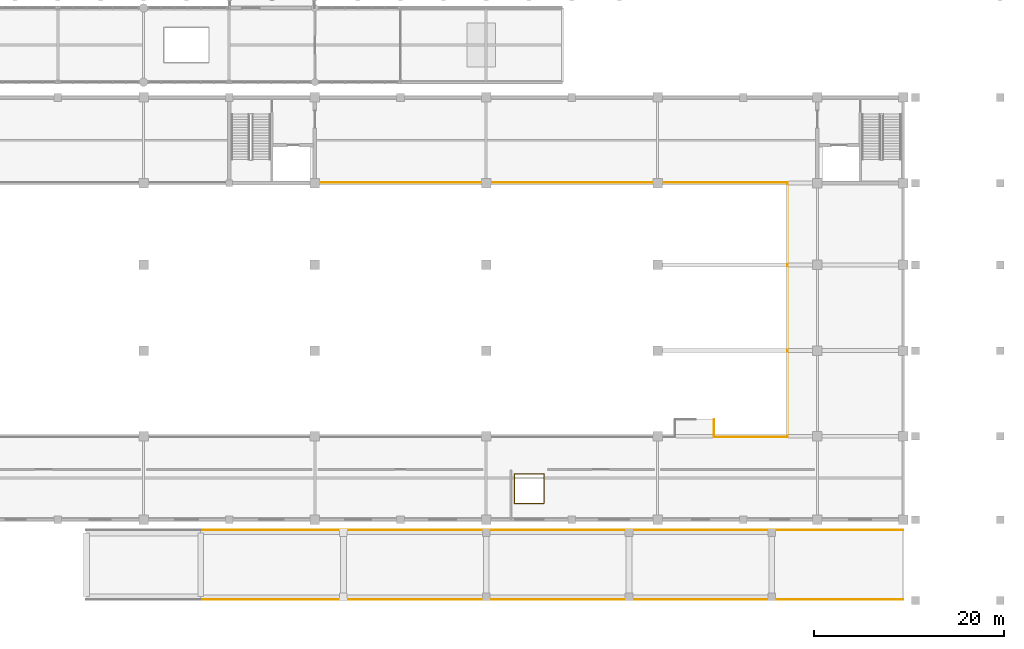
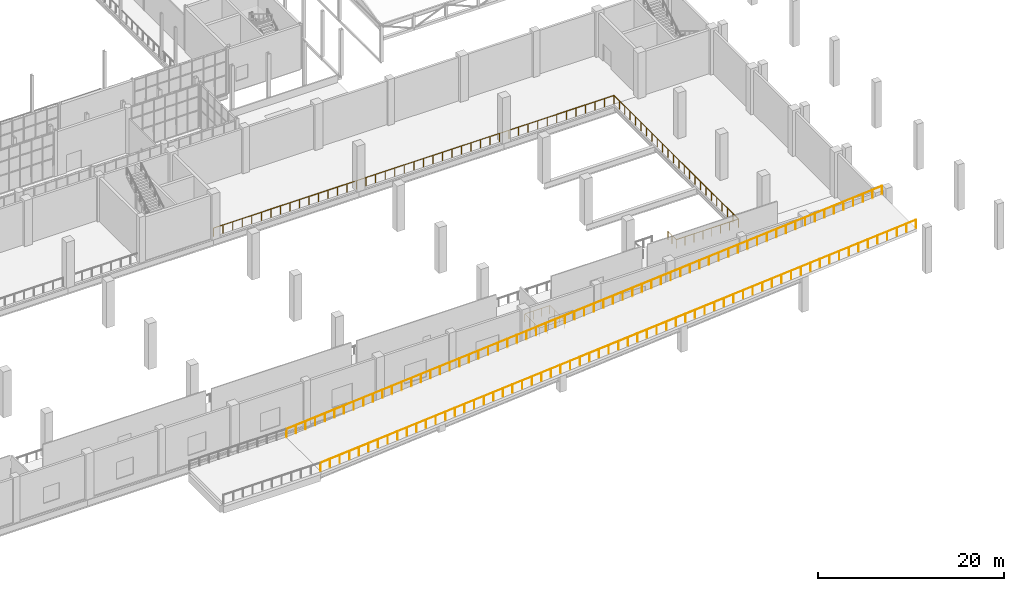
# One storey, part 153 of 159: 4 railings.
"""IFC4 building model written with IfcOpenShell, lengths in metres."""

from ifc_helpers import new_model, si_unit, direction, frame, origin, origin_2d, place, context, subcontext, project, spatial, circle, extrude, material, type_object, element, save


model = new_model("IFC4")

# Units and contexts
model_context = context("Model", 3, precision=1e-05, world=origin(), true_north=direction((0.0, 1.0)))
body_context = subcontext(model_context, "Body", "Model", "MODEL_VIEW")
ifc_project = project(units=[si_unit("LENGTHUNIT", "METRE"), si_unit("AREAUNIT", "SQUARE_METRE"), si_unit("VOLUMEUNIT", "CUBIC_METRE"), si_unit("PLANEANGLEUNIT", "RADIAN"), si_unit("MASSUNIT", "GRAM", prefix="KILO")], contexts=[model_context])

# Site, building, storey
site_placement = place(None, origin())
site = spatial("IfcSite", under=ifc_project, at=site_placement, CompositionType="ELEMENT")
building_placement = place(site_placement, origin())
building = spatial("IfcBuilding", under=site, at=building_placement, Name="Cazmaro Siding Exhibition Halls", CompositionType="ELEMENT")
storey_placement = place(building_placement, frame((0.0, 0.0, 6.0)))
storey = spatial("IfcBuildingStorey", under=building, at=storey_placement, Name="L01", CompositionType="ELEMENT", Elevation=6.0)

# Railings
ifc_material_1 = material(Name="Interior Laminated Glass and Brushed Stainless Steel Balustrade", Category="steel")
railing_type_1 = type_object("IfcRailingType", Name="RL-BAL-02", PredefinedType="BALUSTRADE", material=ifc_material_1)
railing_1_placement = place(storey_placement, frame((185.949951171875, 19.75, 0.0)))
element("IfcRailing", 1, at=railing_1_placement, inside=storey, type_object=railing_type_1, Name="Hall B1 East and North Mezzanine Guard RL-BAL-02 RL-G051", PredefinedType="BALUSTRADE", context=body_context, shape_type="SweptSolid", body=[
    extrude(circle(Radius=0.02392578125, at=origin_2d()), frame((0.0, 0.0, 1.09619140625), z_axis=(0.0, -1.0, 0.0), x_axis=(1.0, 0.0, 0.0)), (0.0, 0.0, 1.0), 1.800048828125),
    extrude(circle(Radius=0.02392578125, at=origin_2d()), frame((0.0, -1.800048828125, 1.09619140625), z_axis=(1.0, 0.0, 0.0), x_axis=(0.0, 1.0, 0.0)), (0.0, 0.0, 1.0), 7.699951171875),
    extrude(circle(Radius=0.02392578125, at=origin_2d()), frame((7.699951171875, -1.800048828125, 1.09619140625), z_axis=(0.0, 1.0, 0.0), x_axis=(-1.0, 0.0, 0.0)), (0.0, 0.0, 1.0), 26.699951171875),
    extrude(circle(Radius=0.02392578125, at=origin_2d()), frame((7.699951171875, 24.89990234375, 1.09619140625), z_axis=(-1.0, 0.0, 0.0), x_axis=(0.0, -1.0, 0.0)), (0.0, 0.0, 1.0), 49.599853515625),
    extrude(circle(Radius=0.02099609375, at=origin_2d()), origin(), (0.0, 0.0, 1.0), 1.072021484375),
    extrude(circle(Radius=0.02099609375, at=origin_2d()), frame((0.0, -0.89990234375, 0.0)), (0.0, 0.0, 1.0), 1.072021484375),
    extrude(circle(Radius=0.02099609375, at=origin_2d()), frame((0.0, -1.800048828125, 0.0)), (0.0, 0.0, 1.0), 1.072021484375),
    extrude(circle(Radius=0.02099609375, at=origin_2d()), frame((1.10009765625, -1.800048828125, 0.0)), (0.0, 0.0, 1.0), 1.072021484375),
    extrude(circle(Radius=0.02099609375, at=origin_2d()), frame((2.199951171875, -1.800048828125, 0.0)), (0.0, 0.0, 1.0), 1.072021484375),
    extrude(circle(Radius=0.02099609375, at=origin_2d()), frame((3.300048828125, -1.800048828125, 0.0)), (0.0, 0.0, 1.0), 1.072021484375),
    extrude(circle(Radius=0.02099609375, at=origin_2d()), frame((4.39990234375, -1.800048828125, 0.0)), (0.0, 0.0, 1.0), 1.072021484375),
    extrude(circle(Radius=0.02099609375, at=origin_2d()), frame((5.5, -1.800048828125, 0.0)), (0.0, 0.0, 1.0), 1.072021484375),
    extrude(circle(Radius=0.02099609375, at=origin_2d()), frame((6.599853515625, -1.800048828125, 0.0)), (0.0, 0.0, 1.0), 1.072021484375),
    extrude(circle(Radius=0.02099609375, at=origin_2d()), frame((7.699951171875, -1.800048828125, 0.0)), (0.0, 0.0, 1.0), 1.072021484375),
    extrude(circle(Radius=0.02099609375, at=origin_2d()), frame((7.699951171875, -0.63916015625, 0.0)), (0.0, 0.0, 1.0), 1.072021484375),
    extrude(circle(Radius=0.02099609375, at=origin_2d()), frame((7.699951171875, 0.521728515625, 0.0)), (0.0, 0.0, 1.0), 1.072021484375),
    extrude(circle(Radius=0.02099609375, at=origin_2d()), frame((7.699951171875, 1.6826171875, 0.0)), (0.0, 0.0, 1.0), 1.072021484375),
    extrude(circle(Radius=0.02099609375, at=origin_2d()), frame((7.699951171875, 2.843505859375, 0.0)), (0.0, 0.0, 1.0), 1.072021484375),
    extrude(circle(Radius=0.02099609375, at=origin_2d()), frame((7.699951171875, 4.00439453125, 0.0)), (0.0, 0.0, 1.0), 1.072021484375),
    extrude(circle(Radius=0.02099609375, at=origin_2d()), frame((7.699951171875, 5.1650390625, 0.0)), (0.0, 0.0, 1.0), 1.072021484375),
    extrude(circle(Radius=0.02099609375, at=origin_2d()), frame((7.699951171875, 6.325927734375, 0.0)), (0.0, 0.0, 1.0), 1.072021484375),
    extrude(circle(Radius=0.02099609375, at=origin_2d()), frame((7.699951171875, 7.48681640625, 0.0)), (0.0, 0.0, 1.0), 1.072021484375),
    extrude(circle(Radius=0.02099609375, at=origin_2d()), frame((7.699951171875, 8.647705078125, 0.0)), (0.0, 0.0, 1.0), 1.072021484375),
    extrude(circle(Radius=0.02099609375, at=origin_2d()), frame((7.699951171875, 9.80859375, 0.0)), (0.0, 0.0, 1.0), 1.072021484375),
    extrude(circle(Radius=0.02099609375, at=origin_2d()), frame((7.699951171875, 10.969482421875, 0.0)), (0.0, 0.0, 1.0), 1.072021484375),
    extrude(circle(Radius=0.02099609375, at=origin_2d()), frame((7.699951171875, 12.13037109375, 0.0)), (0.0, 0.0, 1.0), 1.072021484375),
    extrude(circle(Radius=0.02099609375, at=origin_2d()), frame((7.699951171875, 13.291259765625, 0.0)), (0.0, 0.0, 1.0), 1.072021484375),
    extrude(circle(Radius=0.02099609375, at=origin_2d()), frame((7.699951171875, 14.4521484375, 0.0)), (0.0, 0.0, 1.0), 1.072021484375),
    extrude(circle(Radius=0.02099609375, at=origin_2d()), frame((7.699951171875, 15.613037109375, 0.0)), (0.0, 0.0, 1.0), 1.072021484375),
    extrude(circle(Radius=0.02099609375, at=origin_2d()), frame((7.699951171875, 16.77392578125, 0.0)), (0.0, 0.0, 1.0), 1.072021484375),
    extrude(circle(Radius=0.02099609375, at=origin_2d()), frame((7.699951171875, 17.934814453125, 0.0)), (0.0, 0.0, 1.0), 1.072021484375),
    extrude(circle(Radius=0.02099609375, at=origin_2d()), frame((7.699951171875, 19.095458984375, 0.0)), (0.0, 0.0, 1.0), 1.072021484375),
    extrude(circle(Radius=0.02099609375, at=origin_2d()), frame((7.699951171875, 20.25634765625, 0.0)), (0.0, 0.0, 1.0), 1.072021484375),
    extrude(circle(Radius=0.02099609375, at=origin_2d()), frame((7.699951171875, 21.417236328125, 0.0)), (0.0, 0.0, 1.0), 1.072021484375),
    extrude(circle(Radius=0.02099609375, at=origin_2d()), frame((7.699951171875, 22.578125, 0.0)), (0.0, 0.0, 1.0), 1.072021484375),
    extrude(circle(Radius=0.02099609375, at=origin_2d()), frame((7.699951171875, 23.739013671875, 0.0)), (0.0, 0.0, 1.0), 1.072021484375),
    extrude(circle(Radius=0.02099609375, at=origin_2d()), frame((7.699951171875, 24.89990234375, 0.0)), (0.0, 0.0, 1.0), 1.072021484375),
    extrude(circle(Radius=0.02099609375, at=origin_2d()), frame((6.51904296875, 24.89990234375, 0.0)), (0.0, 0.0, 1.0), 1.072021484375),
    extrude(circle(Radius=0.02099609375, at=origin_2d()), frame((5.338134765625, 24.89990234375, 0.0)), (0.0, 0.0, 1.0), 1.072021484375),
    extrude(circle(Radius=0.02099609375, at=origin_2d()), frame((4.1572265625, 24.89990234375, 0.0)), (0.0, 0.0, 1.0), 1.072021484375),
    extrude(circle(Radius=0.02099609375, at=origin_2d()), frame((2.97607421875, 24.89990234375, 0.0)), (0.0, 0.0, 1.0), 1.072021484375),
    extrude(circle(Radius=0.02099609375, at=origin_2d()), frame((1.795166015625, 24.89990234375, 0.0)), (0.0, 0.0, 1.0), 1.072021484375),
    extrude(circle(Radius=0.02099609375, at=origin_2d()), frame((0.6142578125, 24.89990234375, 0.0)), (0.0, 0.0, 1.0), 1.072021484375),
    extrude(circle(Radius=0.02099609375, at=origin_2d()), frame((-0.566650390625, 24.89990234375, 0.0)), (0.0, 0.0, 1.0), 1.072021484375),
    extrude(circle(Radius=0.02099609375, at=origin_2d()), frame((-1.74755859375, 24.89990234375, 0.0)), (0.0, 0.0, 1.0), 1.072021484375),
    extrude(circle(Radius=0.02099609375, at=origin_2d()), frame((-2.9287109375, 24.89990234375, 0.0)), (0.0, 0.0, 1.0), 1.072021484375),
    extrude(circle(Radius=0.02099609375, at=origin_2d()), frame((-4.109619140625, 24.89990234375, 0.0)), (0.0, 0.0, 1.0), 1.072021484375),
    extrude(circle(Radius=0.02099609375, at=origin_2d()), frame((-5.29052734375, 24.89990234375, 0.0)), (0.0, 0.0, 1.0), 1.072021484375),
    extrude(circle(Radius=0.02099609375, at=origin_2d()), frame((-6.471435546875, 24.89990234375, 0.0)), (0.0, 0.0, 1.0), 1.072021484375),
    extrude(circle(Radius=0.02099609375, at=origin_2d()), frame((-7.65234375, 24.89990234375, 0.0)), (0.0, 0.0, 1.0), 1.072021484375),
    extrude(circle(Radius=0.02099609375, at=origin_2d()), frame((-8.833251953125, 24.89990234375, 0.0)), (0.0, 0.0, 1.0), 1.072021484375),
    extrude(circle(Radius=0.02099609375, at=origin_2d()), frame((-10.01416015625, 24.89990234375, 0.0)), (0.0, 0.0, 1.0), 1.072021484375),
    extrude(circle(Radius=0.02099609375, at=origin_2d()), frame((-11.1953125, 24.89990234375, 0.0)), (0.0, 0.0, 1.0), 1.072021484375),
    extrude(circle(Radius=0.02099609375, at=origin_2d()), frame((-12.376220703125, 24.89990234375, 0.0)), (0.0, 0.0, 1.0), 1.072021484375),
    extrude(circle(Radius=0.02099609375, at=origin_2d()), frame((-13.55712890625, 24.89990234375, 0.0)), (0.0, 0.0, 1.0), 1.072021484375),
    extrude(circle(Radius=0.02099609375, at=origin_2d()), frame((-14.738037109375, 24.89990234375, 0.0)), (0.0, 0.0, 1.0), 1.072021484375),
    extrude(circle(Radius=0.02099609375, at=origin_2d()), frame((-15.9189453125, 24.89990234375, 0.0)), (0.0, 0.0, 1.0), 1.072021484375),
    extrude(circle(Radius=0.02099609375, at=origin_2d()), frame((-17.10009765625, 24.89990234375, 0.0)), (0.0, 0.0, 1.0), 1.072021484375),
    extrude(circle(Radius=0.02099609375, at=origin_2d()), frame((-18.281005859375, 24.89990234375, 0.0)), (0.0, 0.0, 1.0), 1.072021484375),
    extrude(circle(Radius=0.02099609375, at=origin_2d()), frame((-19.4619140625, 24.89990234375, 0.0)), (0.0, 0.0, 1.0), 1.072021484375),
    extrude(circle(Radius=0.02099609375, at=origin_2d()), frame((-20.642822265625, 24.89990234375, 0.0)), (0.0, 0.0, 1.0), 1.072021484375),
    extrude(circle(Radius=0.02099609375, at=origin_2d()), frame((-21.82373046875, 24.89990234375, 0.0)), (0.0, 0.0, 1.0), 1.072021484375),
    extrude(circle(Radius=0.02099609375, at=origin_2d()), frame((-23.004638671875, 24.89990234375, 0.0)), (0.0, 0.0, 1.0), 1.072021484375),
    extrude(circle(Radius=0.02099609375, at=origin_2d()), frame((-24.185791015625, 24.89990234375, 0.0)), (0.0, 0.0, 1.0), 1.072021484375),
    extrude(circle(Radius=0.02099609375, at=origin_2d()), frame((-25.36669921875, 24.89990234375, 0.0)), (0.0, 0.0, 1.0), 1.072021484375),
    extrude(circle(Radius=0.02099609375, at=origin_2d()), frame((-26.547607421875, 24.89990234375, 0.0)), (0.0, 0.0, 1.0), 1.072021484375),
    extrude(circle(Radius=0.02099609375, at=origin_2d()), frame((-27.728515625, 24.89990234375, 0.0)), (0.0, 0.0, 1.0), 1.072021484375),
    extrude(circle(Radius=0.02099609375, at=origin_2d()), frame((-28.909423828125, 24.89990234375, 0.0)), (0.0, 0.0, 1.0), 1.072021484375),
    extrude(circle(Radius=0.02099609375, at=origin_2d()), frame((-30.09033203125, 24.89990234375, 0.0)), (0.0, 0.0, 1.0), 1.072021484375),
    extrude(circle(Radius=0.02099609375, at=origin_2d()), frame((-31.271484375, 24.89990234375, 0.0)), (0.0, 0.0, 1.0), 1.072021484375),
    extrude(circle(Radius=0.02099609375, at=origin_2d()), frame((-32.452392578125, 24.89990234375, 0.0)), (0.0, 0.0, 1.0), 1.072021484375),
    extrude(circle(Radius=0.02099609375, at=origin_2d()), frame((-33.63330078125, 24.89990234375, 0.0)), (0.0, 0.0, 1.0), 1.072021484375),
    extrude(circle(Radius=0.02099609375, at=origin_2d()), frame((-34.814208984375, 24.89990234375, 0.0)), (0.0, 0.0, 1.0), 1.072021484375),
    extrude(circle(Radius=0.02099609375, at=origin_2d()), frame((-35.9951171875, 24.89990234375, 0.0)), (0.0, 0.0, 1.0), 1.072021484375),
    extrude(circle(Radius=0.02099609375, at=origin_2d()), frame((-37.176025390625, 24.89990234375, 0.0)), (0.0, 0.0, 1.0), 1.072021484375),
    extrude(circle(Radius=0.02099609375, at=origin_2d()), frame((-38.35693359375, 24.89990234375, 0.0)), (0.0, 0.0, 1.0), 1.072021484375),
    extrude(circle(Radius=0.02099609375, at=origin_2d()), frame((-39.5380859375, 24.89990234375, 0.0)), (0.0, 0.0, 1.0), 1.072021484375),
    extrude(circle(Radius=0.02099609375, at=origin_2d()), frame((-40.718994140625, 24.89990234375, 0.0)), (0.0, 0.0, 1.0), 1.072021484375),
    extrude(circle(Radius=0.02099609375, at=origin_2d()), frame((-41.89990234375, 24.89990234375, 0.0)), (0.0, 0.0, 1.0), 1.072021484375),
])
railing_2_placement = place(storey_placement, frame((164.949951171875, 10.949951171875, 0.0)))
element("IfcRailing", 2, at=railing_2_placement, inside=storey, type_object=railing_type_1, Name="Hall B1 Mezzanine Void Guard RL-BAL-02 RL-G054", PredefinedType="BALUSTRADE", context=body_context, shape_type="SweptSolid", body=[
    extrude(circle(Radius=0.02392578125, at=origin_2d()), frame((0.0, 0.0, 1.09619140625), z_axis=(1.0, 0.0, 0.0), x_axis=(0.0, 1.0, 0.0)), (0.0, 0.0, 1.0), 3.10009765625),
    extrude(circle(Radius=0.02392578125, at=origin_2d()), frame((3.10009765625, 0.0, 1.09619140625), z_axis=(0.0, 1.0, 0.0), x_axis=(-1.0, 0.0, 0.0)), (0.0, 0.0, 1.0), 3.10009765625),
    extrude(circle(Radius=0.02392578125, at=origin_2d()), frame((3.10009765625, 3.10009765625, 1.09619140625), z_axis=(-1.0, 0.0, 0.0), x_axis=(0.0, -1.0, 0.0)), (0.0, 0.0, 1.0), 3.10009765625),
    extrude(circle(Radius=0.02392578125, at=origin_2d()), frame((0.0, 3.10009765625, 1.09619140625), z_axis=(0.0, -1.0, 0.0), x_axis=(1.0, 0.0, 0.0)), (0.0, 0.0, 1.0), 3.0400390625),
    extrude(circle(Radius=0.02099609375, at=origin_2d()), origin(), (0.0, 0.0, 1.0), 1.072021484375),
    extrude(circle(Radius=0.02099609375, at=origin_2d()), frame((1.033447265625, 0.0, 0.0)), (0.0, 0.0, 1.0), 1.072021484375),
    extrude(circle(Radius=0.02099609375, at=origin_2d()), frame((2.066650390625, 0.0, 0.0)), (0.0, 0.0, 1.0), 1.072021484375),
    extrude(circle(Radius=0.02099609375, at=origin_2d()), frame((3.10009765625, 0.0, 0.0)), (0.0, 0.0, 1.0), 1.072021484375),
    extrude(circle(Radius=0.02099609375, at=origin_2d()), frame((3.10009765625, 1.033447265625, 0.0)), (0.0, 0.0, 1.0), 1.072021484375),
    extrude(circle(Radius=0.02099609375, at=origin_2d()), frame((3.10009765625, 2.066650390625, 0.0)), (0.0, 0.0, 1.0), 1.072021484375),
    extrude(circle(Radius=0.02099609375, at=origin_2d()), frame((3.10009765625, 3.10009765625, 0.0)), (0.0, 0.0, 1.0), 1.072021484375),
    extrude(circle(Radius=0.02099609375, at=origin_2d()), frame((2.066650390625, 3.10009765625, 0.0)), (0.0, 0.0, 1.0), 1.072021484375),
    extrude(circle(Radius=0.02099609375, at=origin_2d()), frame((1.033447265625, 3.10009765625, 0.0)), (0.0, 0.0, 1.0), 1.072021484375),
    extrude(circle(Radius=0.02099609375, at=origin_2d()), frame((0.0, 3.10009765625, 0.0)), (0.0, 0.0, 1.0), 1.072021484375),
    extrude(circle(Radius=0.02099609375, at=origin_2d()), frame((0.0, 2.086669921875, 0.0)), (0.0, 0.0, 1.0), 1.072021484375),
    extrude(circle(Radius=0.02099609375, at=origin_2d()), frame((0.0, 1.073486328125, 0.0)), (0.0, 0.0, 1.0), 1.072021484375),
    extrude(circle(Radius=0.02099609375, at=origin_2d()), frame((0.0, 0.06005859375, 0.0)), (0.0, 0.0, 1.0), 1.072021484375),
])
ifc_material_2 = material(Name="Heavy-Duty Painted Steel Crash Guardrail", Category="steel")
railing_type_2 = type_object("IfcRailingType", Name="RL-GRD-02", PredefinedType="GUARDRAIL", material=ifc_material_2)
railing_3_placement = place(storey_placement, frame((132.0, 0.85009765625, 0.0)))
element("IfcRailing", 3, at=railing_3_placement, inside=storey, type_object=railing_type_2, Name="Truck Ramp Flight 2 South Crash Guard RL-GRD-02 RL-G066", PredefinedType="GUARDRAIL", context=body_context, shape_type="SweptSolid", body=[
    extrude(circle(Radius=0.02392578125, at=origin_2d()), frame((0.0, 0.0, 1.1259765625), z_axis=(0.996711387163, 0.0, 0.081033392497), x_axis=(0.0, 1.0, 0.0)), (0.0, 0.0, 1.0), 74.04345703125),
    extrude(circle(Radius=0.02099609375, at=origin_2d()), origin(), (0.0, 0.0, 1.0), 1.101806640625),
    extrude(circle(Radius=0.02099609375, at=origin_2d()), frame((1.1904296875, 0.0, 0.0966796875)), (0.0, 0.0, 1.0), 1.101806640625),
    extrude(circle(Radius=0.02099609375, at=origin_2d()), frame((2.380615234375, 0.0, 0.193603515625)), (0.0, 0.0, 1.0), 1.101806640625),
    extrude(circle(Radius=0.02099609375, at=origin_2d()), frame((3.571044921875, 0.0, 0.290283203125)), (0.0, 0.0, 1.0), 1.101806640625),
    extrude(circle(Radius=0.02099609375, at=origin_2d()), frame((4.76123046875, 0.0, 0.38720703125)), (0.0, 0.0, 1.0), 1.101806640625),
    extrude(circle(Radius=0.02099609375, at=origin_2d()), frame((5.95166015625, 0.0, 0.48388671875)), (0.0, 0.0, 1.0), 1.101806640625),
    extrude(circle(Radius=0.02099609375, at=origin_2d()), frame((7.141845703125, 0.0, 0.58056640625)), (0.0, 0.0, 1.0), 1.101806640625),
    extrude(circle(Radius=0.02099609375, at=origin_2d()), frame((8.332275390625, 0.0, 0.677490234375)), (0.0, 0.0, 1.0), 1.101806640625),
    extrude(circle(Radius=0.02099609375, at=origin_2d()), frame((9.522705078125, 0.0, 0.774169921875)), (0.0, 0.0, 1.0), 1.101806640625),
    extrude(circle(Radius=0.02099609375, at=origin_2d()), frame((10.712890625, 0.0, 0.870849609375)), (0.0, 0.0, 1.0), 1.101806640625),
    extrude(circle(Radius=0.02099609375, at=origin_2d()), frame((11.9033203125, 0.0, 0.9677734375)), (0.0, 0.0, 1.0), 1.101806640625),
    extrude(circle(Radius=0.02099609375, at=origin_2d()), frame((13.093505859375, 0.0, 1.064453125)), (0.0, 0.0, 1.0), 1.101806640625),
    extrude(circle(Radius=0.02099609375, at=origin_2d()), frame((14.283935546875, 0.0, 1.161376953125)), (0.0, 0.0, 1.0), 1.101806640625),
    extrude(circle(Radius=0.02099609375, at=origin_2d()), frame((15.47412109375, 0.0, 1.258056640625)), (0.0, 0.0, 1.0), 1.101806640625),
    extrude(circle(Radius=0.02099609375, at=origin_2d()), frame((16.66455078125, 0.0, 1.354736328125)), (0.0, 0.0, 1.0), 1.101806640625),
    extrude(circle(Radius=0.02099609375, at=origin_2d()), frame((17.854736328125, 0.0, 1.45166015625)), (0.0, 0.0, 1.0), 1.101806640625),
    extrude(circle(Radius=0.02099609375, at=origin_2d()), frame((19.045166015625, 0.0, 1.54833984375)), (0.0, 0.0, 1.0), 1.101806640625),
    extrude(circle(Radius=0.02099609375, at=origin_2d()), frame((20.235595703125, 0.0, 1.645263671875)), (0.0, 0.0, 1.0), 1.101806640625),
    extrude(circle(Radius=0.02099609375, at=origin_2d()), frame((21.42578125, 0.0, 1.741943359375)), (0.0, 0.0, 1.0), 1.101806640625),
    extrude(circle(Radius=0.02099609375, at=origin_2d()), frame((22.6162109375, 0.0, 1.838623046875)), (0.0, 0.0, 1.0), 1.101806640625),
    extrude(circle(Radius=0.02099609375, at=origin_2d()), frame((23.806396484375, 0.0, 1.935546875)), (0.0, 0.0, 1.0), 1.101806640625),
    extrude(circle(Radius=0.02099609375, at=origin_2d()), frame((24.996826171875, 0.0, 2.0322265625)), (0.0, 0.0, 1.0), 1.101806640625),
    extrude(circle(Radius=0.02099609375, at=origin_2d()), frame((26.18701171875, 0.0, 2.129150390625)), (0.0, 0.0, 1.0), 1.101806640625),
    extrude(circle(Radius=0.02099609375, at=origin_2d()), frame((27.37744140625, 0.0, 2.225830078125)), (0.0, 0.0, 1.0), 1.101806640625),
    extrude(circle(Radius=0.02099609375, at=origin_2d()), frame((28.56787109375, 0.0, 2.322509765625)), (0.0, 0.0, 1.0), 1.101806640625),
    extrude(circle(Radius=0.02099609375, at=origin_2d()), frame((29.758056640625, 0.0, 2.41943359375)), (0.0, 0.0, 1.0), 1.101806640625),
    extrude(circle(Radius=0.02099609375, at=origin_2d()), frame((30.948486328125, 0.0, 2.51611328125)), (0.0, 0.0, 1.0), 1.101806640625),
    extrude(circle(Radius=0.02099609375, at=origin_2d()), frame((32.138671875, 0.0, 2.61279296875)), (0.0, 0.0, 1.0), 1.101806640625),
    extrude(circle(Radius=0.02099609375, at=origin_2d()), frame((33.3291015625, 0.0, 2.709716796875)), (0.0, 0.0, 1.0), 1.101806640625),
    extrude(circle(Radius=0.02099609375, at=origin_2d()), frame((34.519287109375, 0.0, 2.806396484375)), (0.0, 0.0, 1.0), 1.101806640625),
    extrude(circle(Radius=0.02099609375, at=origin_2d()), frame((35.709716796875, 0.0, 2.9033203125)), (0.0, 0.0, 1.0), 1.101806640625),
    extrude(circle(Radius=0.02099609375, at=origin_2d()), frame((36.89990234375, 0.0, 3.0)), (0.0, 0.0, 1.0), 1.101806640625),
    extrude(circle(Radius=0.02099609375, at=origin_2d()), frame((38.09033203125, 0.0, 3.0966796875)), (0.0, 0.0, 1.0), 1.101806640625),
    extrude(circle(Radius=0.02099609375, at=origin_2d()), frame((39.28076171875, 0.0, 3.193603515625)), (0.0, 0.0, 1.0), 1.101806640625),
    extrude(circle(Radius=0.02099609375, at=origin_2d()), frame((40.470947265625, 0.0, 3.290283203125)), (0.0, 0.0, 1.0), 1.101806640625),
    extrude(circle(Radius=0.02099609375, at=origin_2d()), frame((41.661376953125, 0.0, 3.38720703125)), (0.0, 0.0, 1.0), 1.101806640625),
    extrude(circle(Radius=0.02099609375, at=origin_2d()), frame((42.8515625, 0.0, 3.48388671875)), (0.0, 0.0, 1.0), 1.101806640625),
    extrude(circle(Radius=0.02099609375, at=origin_2d()), frame((44.0419921875, 0.0, 3.58056640625)), (0.0, 0.0, 1.0), 1.101806640625),
    extrude(circle(Radius=0.02099609375, at=origin_2d()), frame((45.232177734375, 0.0, 3.677490234375)), (0.0, 0.0, 1.0), 1.101806640625),
    extrude(circle(Radius=0.02099609375, at=origin_2d()), frame((46.422607421875, 0.0, 3.774169921875)), (0.0, 0.0, 1.0), 1.101806640625),
    extrude(circle(Radius=0.02099609375, at=origin_2d()), frame((47.613037109375, 0.0, 3.870849609375)), (0.0, 0.0, 1.0), 1.101806640625),
    extrude(circle(Radius=0.02099609375, at=origin_2d()), frame((48.80322265625, 0.0, 3.9677734375)), (0.0, 0.0, 1.0), 1.101806640625),
    extrude(circle(Radius=0.02099609375, at=origin_2d()), frame((49.99365234375, 0.0, 4.064453125)), (0.0, 0.0, 1.0), 1.101806640625),
    extrude(circle(Radius=0.02099609375, at=origin_2d()), frame((51.183837890625, 0.0, 4.161376953125)), (0.0, 0.0, 1.0), 1.101806640625),
    extrude(circle(Radius=0.02099609375, at=origin_2d()), frame((52.374267578125, 0.0, 4.258056640625)), (0.0, 0.0, 1.0), 1.101806640625),
    extrude(circle(Radius=0.02099609375, at=origin_2d()), frame((53.564453125, 0.0, 4.354736328125)), (0.0, 0.0, 1.0), 1.101806640625),
    extrude(circle(Radius=0.02099609375, at=origin_2d()), frame((54.7548828125, 0.0, 4.45166015625)), (0.0, 0.0, 1.0), 1.101806640625),
    extrude(circle(Radius=0.02099609375, at=origin_2d()), frame((55.9453125, 0.0, 4.54833984375)), (0.0, 0.0, 1.0), 1.101806640625),
    extrude(circle(Radius=0.02099609375, at=origin_2d()), frame((57.135498046875, 0.0, 4.645263671875)), (0.0, 0.0, 1.0), 1.101806640625),
    extrude(circle(Radius=0.02099609375, at=origin_2d()), frame((58.325927734375, 0.0, 4.741943359375)), (0.0, 0.0, 1.0), 1.101806640625),
    extrude(circle(Radius=0.02099609375, at=origin_2d()), frame((59.51611328125, 0.0, 4.838623046875)), (0.0, 0.0, 1.0), 1.101806640625),
    extrude(circle(Radius=0.02099609375, at=origin_2d()), frame((60.70654296875, 0.0, 4.935546875)), (0.0, 0.0, 1.0), 1.101806640625),
    extrude(circle(Radius=0.02099609375, at=origin_2d()), frame((61.896728515625, 0.0, 5.0322265625)), (0.0, 0.0, 1.0), 1.101806640625),
    extrude(circle(Radius=0.02099609375, at=origin_2d()), frame((63.087158203125, 0.0, 5.129150390625)), (0.0, 0.0, 1.0), 1.101806640625),
    extrude(circle(Radius=0.02099609375, at=origin_2d()), frame((64.27734375, 0.0, 5.225830078125)), (0.0, 0.0, 1.0), 1.101806640625),
    extrude(circle(Radius=0.02099609375, at=origin_2d()), frame((65.4677734375, 0.0, 5.322509765625)), (0.0, 0.0, 1.0), 1.101806640625),
    extrude(circle(Radius=0.02099609375, at=origin_2d()), frame((66.658203125, 0.0, 5.41943359375)), (0.0, 0.0, 1.0), 1.101806640625),
    extrude(circle(Radius=0.02099609375, at=origin_2d()), frame((67.848388671875, 0.0, 5.51611328125)), (0.0, 0.0, 1.0), 1.101806640625),
    extrude(circle(Radius=0.02099609375, at=origin_2d()), frame((69.038818359375, 0.0, 5.61279296875)), (0.0, 0.0, 1.0), 1.101806640625),
    extrude(circle(Radius=0.02099609375, at=origin_2d()), frame((70.22900390625, 0.0, 5.709716796875)), (0.0, 0.0, 1.0), 1.101806640625),
    extrude(circle(Radius=0.02099609375, at=origin_2d()), frame((71.41943359375, 0.0, 5.806396484375)), (0.0, 0.0, 1.0), 1.101806640625),
    extrude(circle(Radius=0.02099609375, at=origin_2d()), frame((72.609619140625, 0.0, 5.9033203125)), (0.0, 0.0, 1.0), 1.101806640625),
    extrude(circle(Radius=0.02099609375, at=origin_2d()), frame((73.800048828125, 0.0, 6.0)), (0.0, 0.0, 1.0), 1.101806640625),
])
railing_4_placement = place(storey_placement, frame((132.0, 8.14990234375, 0.0)))
element("IfcRailing", 4, at=railing_4_placement, inside=storey, type_object=railing_type_2, Name="Truck Ramp Flight 2 North Crash Guard RL-GRD-02 RL-G067", PredefinedType="GUARDRAIL", context=body_context, shape_type="SweptSolid", body=[
    extrude(circle(Radius=0.02392578125, at=origin_2d()), frame((0.0, 0.0, 1.1259765625), z_axis=(0.996711387163, 0.0, 0.081033392497), x_axis=(0.0, 1.0, 0.0)), (0.0, 0.0, 1.0), 74.04345703125),
    extrude(circle(Radius=0.02099609375, at=origin_2d()), origin(), (0.0, 0.0, 1.0), 1.101806640625),
    extrude(circle(Radius=0.02099609375, at=origin_2d()), frame((1.1904296875, 0.0, 0.0966796875)), (0.0, 0.0, 1.0), 1.101806640625),
    extrude(circle(Radius=0.02099609375, at=origin_2d()), frame((2.380615234375, 0.0, 0.193603515625)), (0.0, 0.0, 1.0), 1.101806640625),
    extrude(circle(Radius=0.02099609375, at=origin_2d()), frame((3.571044921875, 0.0, 0.290283203125)), (0.0, 0.0, 1.0), 1.101806640625),
    extrude(circle(Radius=0.02099609375, at=origin_2d()), frame((4.76123046875, 0.0, 0.38720703125)), (0.0, 0.0, 1.0), 1.101806640625),
    extrude(circle(Radius=0.02099609375, at=origin_2d()), frame((5.95166015625, 0.0, 0.48388671875)), (0.0, 0.0, 1.0), 1.101806640625),
    extrude(circle(Radius=0.02099609375, at=origin_2d()), frame((7.141845703125, 0.0, 0.58056640625)), (0.0, 0.0, 1.0), 1.101806640625),
    extrude(circle(Radius=0.02099609375, at=origin_2d()), frame((8.332275390625, 0.0, 0.677490234375)), (0.0, 0.0, 1.0), 1.101806640625),
    extrude(circle(Radius=0.02099609375, at=origin_2d()), frame((9.522705078125, 0.0, 0.774169921875)), (0.0, 0.0, 1.0), 1.101806640625),
    extrude(circle(Radius=0.02099609375, at=origin_2d()), frame((10.712890625, 0.0, 0.870849609375)), (0.0, 0.0, 1.0), 1.101806640625),
    extrude(circle(Radius=0.02099609375, at=origin_2d()), frame((11.9033203125, 0.0, 0.9677734375)), (0.0, 0.0, 1.0), 1.101806640625),
    extrude(circle(Radius=0.02099609375, at=origin_2d()), frame((13.093505859375, 0.0, 1.064453125)), (0.0, 0.0, 1.0), 1.101806640625),
    extrude(circle(Radius=0.02099609375, at=origin_2d()), frame((14.283935546875, 0.0, 1.161376953125)), (0.0, 0.0, 1.0), 1.101806640625),
    extrude(circle(Radius=0.02099609375, at=origin_2d()), frame((15.47412109375, 0.0, 1.258056640625)), (0.0, 0.0, 1.0), 1.101806640625),
    extrude(circle(Radius=0.02099609375, at=origin_2d()), frame((16.66455078125, 0.0, 1.354736328125)), (0.0, 0.0, 1.0), 1.101806640625),
    extrude(circle(Radius=0.02099609375, at=origin_2d()), frame((17.854736328125, 0.0, 1.45166015625)), (0.0, 0.0, 1.0), 1.101806640625),
    extrude(circle(Radius=0.02099609375, at=origin_2d()), frame((19.045166015625, 0.0, 1.54833984375)), (0.0, 0.0, 1.0), 1.101806640625),
    extrude(circle(Radius=0.02099609375, at=origin_2d()), frame((20.235595703125, 0.0, 1.645263671875)), (0.0, 0.0, 1.0), 1.101806640625),
    extrude(circle(Radius=0.02099609375, at=origin_2d()), frame((21.42578125, 0.0, 1.741943359375)), (0.0, 0.0, 1.0), 1.101806640625),
    extrude(circle(Radius=0.02099609375, at=origin_2d()), frame((22.6162109375, 0.0, 1.838623046875)), (0.0, 0.0, 1.0), 1.101806640625),
    extrude(circle(Radius=0.02099609375, at=origin_2d()), frame((23.806396484375, 0.0, 1.935546875)), (0.0, 0.0, 1.0), 1.101806640625),
    extrude(circle(Radius=0.02099609375, at=origin_2d()), frame((24.996826171875, 0.0, 2.0322265625)), (0.0, 0.0, 1.0), 1.101806640625),
    extrude(circle(Radius=0.02099609375, at=origin_2d()), frame((26.18701171875, 0.0, 2.129150390625)), (0.0, 0.0, 1.0), 1.101806640625),
    extrude(circle(Radius=0.02099609375, at=origin_2d()), frame((27.37744140625, 0.0, 2.225830078125)), (0.0, 0.0, 1.0), 1.101806640625),
    extrude(circle(Radius=0.02099609375, at=origin_2d()), frame((28.56787109375, 0.0, 2.322509765625)), (0.0, 0.0, 1.0), 1.101806640625),
    extrude(circle(Radius=0.02099609375, at=origin_2d()), frame((29.758056640625, 0.0, 2.41943359375)), (0.0, 0.0, 1.0), 1.101806640625),
    extrude(circle(Radius=0.02099609375, at=origin_2d()), frame((30.948486328125, 0.0, 2.51611328125)), (0.0, 0.0, 1.0), 1.101806640625),
    extrude(circle(Radius=0.02099609375, at=origin_2d()), frame((32.138671875, 0.0, 2.61279296875)), (0.0, 0.0, 1.0), 1.101806640625),
    extrude(circle(Radius=0.02099609375, at=origin_2d()), frame((33.3291015625, 0.0, 2.709716796875)), (0.0, 0.0, 1.0), 1.101806640625),
    extrude(circle(Radius=0.02099609375, at=origin_2d()), frame((34.519287109375, 0.0, 2.806396484375)), (0.0, 0.0, 1.0), 1.101806640625),
    extrude(circle(Radius=0.02099609375, at=origin_2d()), frame((35.709716796875, 0.0, 2.9033203125)), (0.0, 0.0, 1.0), 1.101806640625),
    extrude(circle(Radius=0.02099609375, at=origin_2d()), frame((36.89990234375, 0.0, 3.0)), (0.0, 0.0, 1.0), 1.101806640625),
    extrude(circle(Radius=0.02099609375, at=origin_2d()), frame((38.09033203125, 0.0, 3.0966796875)), (0.0, 0.0, 1.0), 1.101806640625),
    extrude(circle(Radius=0.02099609375, at=origin_2d()), frame((39.28076171875, 0.0, 3.193603515625)), (0.0, 0.0, 1.0), 1.101806640625),
    extrude(circle(Radius=0.02099609375, at=origin_2d()), frame((40.470947265625, 0.0, 3.290283203125)), (0.0, 0.0, 1.0), 1.101806640625),
    extrude(circle(Radius=0.02099609375, at=origin_2d()), frame((41.661376953125, 0.0, 3.38720703125)), (0.0, 0.0, 1.0), 1.101806640625),
    extrude(circle(Radius=0.02099609375, at=origin_2d()), frame((42.8515625, 0.0, 3.48388671875)), (0.0, 0.0, 1.0), 1.101806640625),
    extrude(circle(Radius=0.02099609375, at=origin_2d()), frame((44.0419921875, 0.0, 3.58056640625)), (0.0, 0.0, 1.0), 1.101806640625),
    extrude(circle(Radius=0.02099609375, at=origin_2d()), frame((45.232177734375, 0.0, 3.677490234375)), (0.0, 0.0, 1.0), 1.101806640625),
    extrude(circle(Radius=0.02099609375, at=origin_2d()), frame((46.422607421875, 0.0, 3.774169921875)), (0.0, 0.0, 1.0), 1.101806640625),
    extrude(circle(Radius=0.02099609375, at=origin_2d()), frame((47.613037109375, 0.0, 3.870849609375)), (0.0, 0.0, 1.0), 1.101806640625),
    extrude(circle(Radius=0.02099609375, at=origin_2d()), frame((48.80322265625, 0.0, 3.9677734375)), (0.0, 0.0, 1.0), 1.101806640625),
    extrude(circle(Radius=0.02099609375, at=origin_2d()), frame((49.99365234375, 0.0, 4.064453125)), (0.0, 0.0, 1.0), 1.101806640625),
    extrude(circle(Radius=0.02099609375, at=origin_2d()), frame((51.183837890625, 0.0, 4.161376953125)), (0.0, 0.0, 1.0), 1.101806640625),
    extrude(circle(Radius=0.02099609375, at=origin_2d()), frame((52.374267578125, 0.0, 4.258056640625)), (0.0, 0.0, 1.0), 1.101806640625),
    extrude(circle(Radius=0.02099609375, at=origin_2d()), frame((53.564453125, 0.0, 4.354736328125)), (0.0, 0.0, 1.0), 1.101806640625),
    extrude(circle(Radius=0.02099609375, at=origin_2d()), frame((54.7548828125, 0.0, 4.45166015625)), (0.0, 0.0, 1.0), 1.101806640625),
    extrude(circle(Radius=0.02099609375, at=origin_2d()), frame((55.9453125, 0.0, 4.54833984375)), (0.0, 0.0, 1.0), 1.101806640625),
    extrude(circle(Radius=0.02099609375, at=origin_2d()), frame((57.135498046875, 0.0, 4.645263671875)), (0.0, 0.0, 1.0), 1.101806640625),
    extrude(circle(Radius=0.02099609375, at=origin_2d()), frame((58.325927734375, 0.0, 4.741943359375)), (0.0, 0.0, 1.0), 1.101806640625),
    extrude(circle(Radius=0.02099609375, at=origin_2d()), frame((59.51611328125, 0.0, 4.838623046875)), (0.0, 0.0, 1.0), 1.101806640625),
    extrude(circle(Radius=0.02099609375, at=origin_2d()), frame((60.70654296875, 0.0, 4.935546875)), (0.0, 0.0, 1.0), 1.101806640625),
    extrude(circle(Radius=0.02099609375, at=origin_2d()), frame((61.896728515625, 0.0, 5.0322265625)), (0.0, 0.0, 1.0), 1.101806640625),
    extrude(circle(Radius=0.02099609375, at=origin_2d()), frame((63.087158203125, 0.0, 5.129150390625)), (0.0, 0.0, 1.0), 1.101806640625),
    extrude(circle(Radius=0.02099609375, at=origin_2d()), frame((64.27734375, 0.0, 5.225830078125)), (0.0, 0.0, 1.0), 1.101806640625),
    extrude(circle(Radius=0.02099609375, at=origin_2d()), frame((65.4677734375, 0.0, 5.322509765625)), (0.0, 0.0, 1.0), 1.101806640625),
    extrude(circle(Radius=0.02099609375, at=origin_2d()), frame((66.658203125, 0.0, 5.41943359375)), (0.0, 0.0, 1.0), 1.101806640625),
    extrude(circle(Radius=0.02099609375, at=origin_2d()), frame((67.848388671875, 0.0, 5.51611328125)), (0.0, 0.0, 1.0), 1.101806640625),
    extrude(circle(Radius=0.02099609375, at=origin_2d()), frame((69.038818359375, 0.0, 5.61279296875)), (0.0, 0.0, 1.0), 1.101806640625),
    extrude(circle(Radius=0.02099609375, at=origin_2d()), frame((70.22900390625, 0.0, 5.709716796875)), (0.0, 0.0, 1.0), 1.101806640625),
    extrude(circle(Radius=0.02099609375, at=origin_2d()), frame((71.41943359375, 0.0, 5.806396484375)), (0.0, 0.0, 1.0), 1.101806640625),
    extrude(circle(Radius=0.02099609375, at=origin_2d()), frame((72.609619140625, 0.0, 5.9033203125)), (0.0, 0.0, 1.0), 1.101806640625),
    extrude(circle(Radius=0.02099609375, at=origin_2d()), frame((73.800048828125, 0.0, 6.0)), (0.0, 0.0, 1.0), 1.101806640625),
])

save(model, "model.ifc")
